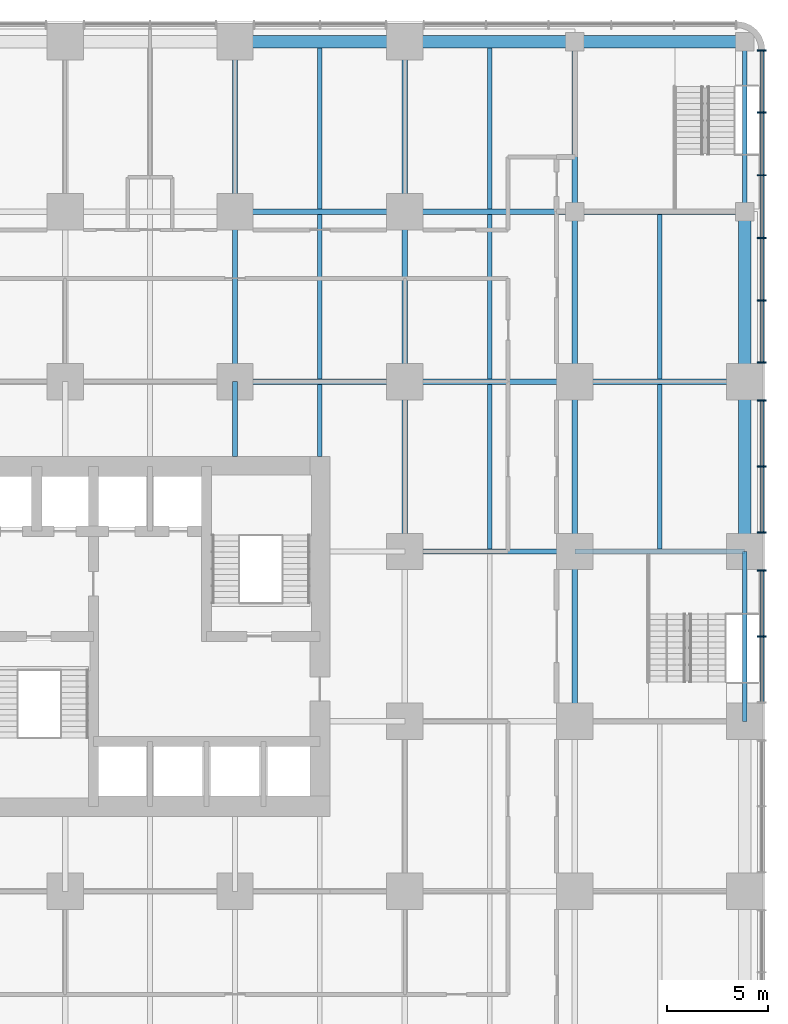
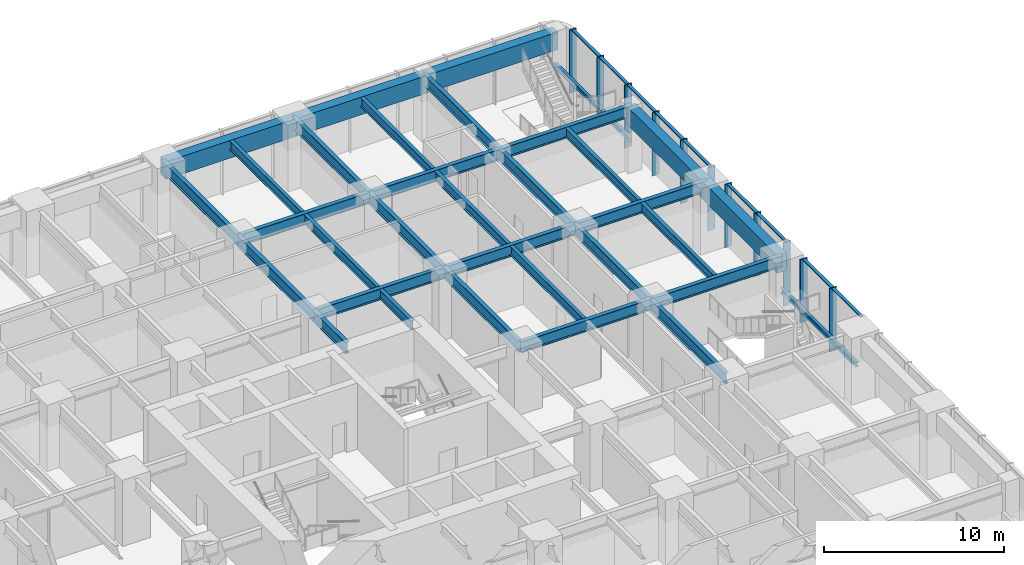
# One storey, part 6 of 19: 33 beams, 20 members, 1 element without a shape of its own.
"""IFC4 building model written with IfcOpenShell, lengths in metres."""

import ifcopenshell
import ifcopenshell.guid

model = None  # the IFC model being written
_history = None  # IfcOwnerHistory: only IFC2X3 demands one
_inside = {}  # id of a spatial element -> (the spatial element, [elements in it])
_under = {}  # id of a project, library or spatial element -> (it, [spatial elements below it])
_declared = {}  # id of a project -> (the project, [libraries it declares])
_typed = {}  # id of a type object -> (the type object, [elements of that type])
_made_of = {}  # id of a material, layer set ... -> (it, [elements and type objects made of it])


def new_model(schema):
    """Start an empty IFC model of exactly this schema.

    Asked for "IFC4X3", IfcOpenShell would pick the latest addendum, in which some entities
    have other attributes; the version numbers below select the first issue.
    IFC2X3 requires an IfcOwnerHistory on every rooted entity: one is made here for all.
    """
    global model, _history
    if schema == "IFC4X3":
        model = ifcopenshell.file(schema_version=(4, 3, 0, 0))
    else:
        model = ifcopenshell.file(schema=schema)
    _inside.clear()
    _under.clear()
    _declared.clear()
    _typed.clear()
    _made_of.clear()
    _history = None
    if model.schema == "IFC2X3":
        org = make("IfcOrganization", Name="unknown")
        user = make(
            "IfcPersonAndOrganization",
            ThePerson=make("IfcPerson", FamilyName="unknown"),
            TheOrganization=org,
        )
        app = make(
            "IfcApplication",
            ApplicationDeveloper=org,
            Version="unknown",
            ApplicationFullName="unknown",
            ApplicationIdentifier="unknown",
        )
        _history = make(
            "IfcOwnerHistory",
            OwningUser=user,
            OwningApplication=app,
            ChangeAction="ADDED",
            CreationDate=0,
        )
    return model


def make(cls, **values):
    """One entity of the class cls with the attributes given. An attribute that is None is left unset."""
    return model.create_entity(
        cls, **{name: value for name, value in values.items() if value is not None}
    )


def rooted(cls, **values):
    """An entity with a GlobalId (a new one), such as an element, a storey or a relation."""
    return make(cls, GlobalId=ifcopenshell.guid.new(), OwnerHistory=_history, **values)


def si_unit(unit_type, name, prefix=None):
    """IfcSIUnit, for example si_unit("LENGTHUNIT", "METRE", prefix="MILLI")."""
    return make("IfcSIUnit", UnitType=unit_type, Prefix=prefix, Name=name)


def assignment(units):
    """IfcUnitAssignment: the units of a project."""
    return None if units is None else make("IfcUnitAssignment", Units=units)


def point(xyz):
    """IfcCartesianPoint."""
    return None if xyz is None else make("IfcCartesianPoint", Coordinates=xyz)


def direction(xyz):
    """IfcDirection."""
    return None if xyz is None else make("IfcDirection", DirectionRatios=xyz)


def frame(location, z_axis=None, x_axis=None):
    """IfcAxis2Placement3D, a coordinate frame: its origin and axes. An axis left out is left unset."""
    return make(
        "IfcAxis2Placement3D",
        Location=point(location),
        Axis=direction(z_axis),
        RefDirection=direction(x_axis),
    )


def frame_2d(location, x_axis=None):
    """IfcAxis2Placement2D, a coordinate frame in the plane: its origin and x axis."""
    return make(
        "IfcAxis2Placement2D", Location=point(location), RefDirection=direction(x_axis)
    )


def origin():
    """The frame at (0, 0, 0) with its axes left unset."""
    return frame((0.0, 0.0, 0.0))


def origin_2d():
    """The frame at (0, 0) in the plane with its x axis left unset."""
    return frame_2d((0.0, 0.0))


def place(relative_to, where):
    """IfcLocalPlacement: puts the frame where relative to a parent placement (None: the world)."""
    return make(
        "IfcLocalPlacement", PlacementRelTo=relative_to, RelativePlacement=where
    )


def context(
    kind, dimensions, precision=None, world=None, true_north=None, identifier=None
):
    """IfcGeometricRepresentationContext, for example the 3D "Model" context."""
    return make(
        "IfcGeometricRepresentationContext",
        ContextIdentifier=identifier,
        ContextType=kind,
        CoordinateSpaceDimension=dimensions,
        Precision=precision,
        WorldCoordinateSystem=world,
        TrueNorth=true_north,
    )


def subcontext(parent, identifier, kind, view, scale=None):
    """IfcGeometricRepresentationSubContext, for example "Body" below "Model"."""
    return make(
        "IfcGeometricRepresentationSubContext",
        ContextIdentifier=identifier,
        ContextType=kind,
        ParentContext=parent,
        TargetScale=scale,
        TargetView=view,
    )


def project(units=None, contexts=None):
    """IfcProject with its units and contexts."""
    return rooted(
        "IfcProject",
        Name="project",
        RepresentationContexts=contexts,
        UnitsInContext=assignment(units),
    )


def spatial(cls, under=None, at=None, **own):
    """A site, building, storey or space (cls), placed at a placement, below another one or the project."""
    s = rooted(cls, ObjectPlacement=at, **own)
    if under is not None:
        _under.setdefault(under.id(), (under, []))[1].append(s)
    return s


def profile(cls, at=None, kind="AREA", **sizes):
    """A parametric profile (cls). Its sizes go by their IFC names, for example OverallWidth=200.0."""
    return make(cls, ProfileType=kind, Position=at, **sizes)


def rectangle(**sizes):
    """IfcRectangleProfileDef."""
    return profile("IfcRectangleProfileDef", **sizes)


def i_section(**sizes):
    """IfcIShapeProfileDef."""
    return profile("IfcIShapeProfileDef", **sizes)


def extrude(swept, where, along, depth):
    """IfcExtrudedAreaSolid: the profile swept, set in the frame where, extruded along a direction by depth."""
    return make(
        "IfcExtrudedAreaSolid",
        SweptArea=swept,
        Position=where,
        ExtrudedDirection=direction(along),
        Depth=depth,
    )


def shape(context_of_items, identifier, shape_type, items):
    """IfcShapeRepresentation: the items that make up one representation, for example the "Body"."""
    return make(
        "IfcShapeRepresentation",
        ContextOfItems=context_of_items,
        RepresentationIdentifier=identifier,
        RepresentationType=shape_type,
        Items=items,
    )


def material(Name=None, Category=None):
    """IfcMaterial."""
    return make("IfcMaterial", Name=Name, Category=Category)


def material_profile(
    of_material, cross_section, Name=None, Category=None, Priority=None
):
    """IfcMaterialProfile: a cross section and its material."""
    return make(
        "IfcMaterialProfile",
        Name=Name,
        Material=of_material,
        Profile=cross_section,
        Priority=Priority,
        Category=Category,
    )


def profile_set(profiles, Name=None, composite=None):
    """IfcMaterialProfileSet."""
    return make(
        "IfcMaterialProfileSet",
        Name=Name,
        MaterialProfiles=profiles,
        CompositeProfile=composite,
    )


def made_of(thing, what):
    """Note that an element or type object is made of a material, layer set ...; save() writes the relation."""
    if what is not None:
        _made_of.setdefault(what.id(), (what, []))[1].append(thing)
    return thing


def type_object(cls, material=None, **own):
    """A type object (cls), such as IfcWallType, which elements share."""
    return made_of(rooted(cls, **own), material)


def element(
    cls,
    number,
    at=None,
    inside=None,
    cuts=None,
    type_object=None,
    material=None,
    context=None,
    identifier="Body",
    shape_type=None,
    held_by="IfcProductDefinitionShape",
    body=None,
    shapes=None,
    **own,
):
    """One element of the class cls, such as IfcWall. Its Tag is "e" and its number.

    at: its placement. inside: the storey or other place that contains it. cuts: it is an
    opening in that element (IfcRelVoidsElement). A single representation is given by context,
    identifier, shape_type and body (its items); several are given by shapes. held_by: the class
    of the entity that holds the representations. save() writes the other relations.
    """
    e = rooted(cls, Tag="e%d" % number, ObjectPlacement=at, **own)
    if body is not None:
        shapes = [shape(context, identifier, shape_type, body)]
    if shapes is not None:
        e.Representation = make(held_by, Representations=shapes)
    if inside is not None:
        _inside.setdefault(inside.id(), (inside, []))[1].append(e)
    if cuts is not None:
        rooted(
            "IfcRelVoidsElement", RelatingBuildingElement=cuts, RelatedOpeningElement=e
        )
    if type_object is not None:
        _typed.setdefault(type_object.id(), (type_object, []))[1].append(e)
    return made_of(e, material)


def aggregate(whole, parts):
    """IfcRelAggregates: a whole, such as a stair, and the parts it consists of."""
    return rooted("IfcRelAggregates", RelatingObject=whole, RelatedObjects=parts)


def save(model, path):
    """Write the relations noted so far, then the file.

    IfcRelAggregates (storeys below a building ...), IfcRelContainedInSpatialStructure (elements
    in a storey), IfcRelDefinesByType, IfcRelAssociatesMaterial and IfcRelDeclares: one each for
    every whole, place, type object, material and project.
    """
    for whole, parts in _under.values():
        aggregate(whole, parts)
    for where, things in _inside.values():
        rooted(
            "IfcRelContainedInSpatialStructure",
            RelatedElements=things,
            RelatingStructure=where,
        )
    for kind, things in _typed.values():
        rooted("IfcRelDefinesByType", RelatedObjects=things, RelatingType=kind)
    for what, things in _made_of.values():
        rooted("IfcRelAssociatesMaterial", RelatedObjects=things, RelatingMaterial=what)
    for by, libraries in _declared.values():
        rooted("IfcRelDeclares", RelatingContext=by, RelatedDefinitions=libraries)
    model.write(path)


model = new_model("IFC4")

# Units and contexts
model_context = context("Model", 3, precision=1e-05, world=origin(), true_north=direction((0.0, 1.0)))
body_context = subcontext(model_context, "Body", "Model", "MODEL_VIEW")
ifc_project = project(units=[si_unit("LENGTHUNIT", "METRE"), si_unit("AREAUNIT", "SQUARE_METRE"), si_unit("VOLUMEUNIT", "CUBIC_METRE"), si_unit("PLANEANGLEUNIT", "RADIAN"), si_unit("MASSUNIT", "GRAM", prefix="KILO")], contexts=[model_context])

# Site, building, storey
site_placement = place(None, origin())
site = spatial("IfcSite", under=ifc_project, at=site_placement, CompositionType="ELEMENT")
building_placement = place(site_placement, origin())
building = spatial("IfcBuilding", under=site, at=building_placement, Name="Torre Alcanfor", CompositionType="ELEMENT")
storey_placement = place(building_placement, frame((0.0, 0.0, 15.0)))
storey = spatial("IfcBuildingStorey", under=building, at=storey_placement, Name="L03", CompositionType="ELEMENT", Elevation=15.0)

# Curtain wall, members
ifc_material_1 = material(Name="Aluminium and glass", Category="aluminium")
curtain_wall_type = type_object("IfcCurtainWallType", Name="CW-B unitised classroom glazing with vertical FIN", PredefinedType="NOTDEFINED", material=ifc_material_1)
curtain_wall_placement = place(storey_placement, origin())
curtain_wall = element("IfcCurtainWall", 1, at=curtain_wall_placement, inside=storey, type_object=curtain_wall_type, Name="Curtain wall CW-B L03 1", PredefinedType="NOTDEFINED")
ifc_material_2 = material(Name="Bronze anodised aluminium", Category="aluminium")
ifc_material_profile_1 = material_profile(ifc_material_2, rectangle(XDim=0.449951171875, YDim=0.06494140625, at=origin_2d()), Name="CW-B mullion 65x450")
ifc_profile_set_1 = profile_set([ifc_material_profile_1], Name="Bronze anodised aluminium")
member_type_1 = type_object("IfcMemberType", Name="CW-B mullion with vertical FIN 65x450", PredefinedType="MULLION", material=ifc_profile_set_1)
member_1_placement = place(storey_placement, frame((59.64990234375, 29.39990234375, 0.0), z_axis=(0.0, 0.0, 1.0), x_axis=(-1.0, 0.0, 0.0)))
member_1 = element("IfcMember", 2, at=member_1_placement, type_object=member_type_1, Name="CW-B mullion 3.2", PredefinedType="MULLION", context=body_context, shape_type="SweptSolid", body=[
    extrude(rectangle(XDim=0.449951171875, YDim=0.06494140625, at=origin_2d()), origin(), (0.0, 0.0, 1.0), 4.300048828125),
])
member_2_placement = place(storey_placement, frame((59.64990234375, 32.66259765625, 0.0), z_axis=(0.0, 0.0, 1.0), x_axis=(-1.0, 0.0, 0.0)))
member_2 = element("IfcMember", 3, at=member_2_placement, type_object=member_type_1, Name="CW-B mullion 3.3", PredefinedType="MULLION", context=body_context, shape_type="SweptSolid", body=[
    extrude(rectangle(XDim=0.449951171875, YDim=0.06494140625, at=origin_2d()), origin(), (0.0, 0.0, 1.0), 4.300048828125),
])
member_3_placement = place(storey_placement, frame((59.64990234375, 34.53759765625, 0.0), z_axis=(0.0, 0.0, 1.0), x_axis=(-1.0, 0.0, 0.0)))
member_3 = element("IfcMember", 4, at=member_3_placement, type_object=member_type_1, Name="CW-B mullion 4.1", PredefinedType="MULLION", context=body_context, shape_type="SweptSolid", body=[
    extrude(rectangle(XDim=0.449951171875, YDim=0.06494140625, at=origin_2d()), origin(), (0.0, 0.0, 1.0), 4.300048828125),
])
member_4_placement = place(storey_placement, frame((59.64990234375, 37.800048828125, 0.0), z_axis=(0.0, 0.0, 1.0), x_axis=(-1.0, 0.0, 0.0)))
member_4 = element("IfcMember", 5, at=member_4_placement, type_object=member_type_1, Name="CW-B mullion 4.2", PredefinedType="MULLION", context=body_context, shape_type="SweptSolid", body=[
    extrude(rectangle(XDim=0.449951171875, YDim=0.06494140625, at=origin_2d()), origin(), (0.0, 0.0, 1.0), 4.300048828125),
])
member_5_placement = place(storey_placement, frame((59.64990234375, 41.0625, 0.0), z_axis=(0.0, 0.0, 1.0), x_axis=(-1.0, 0.0, 0.0)))
member_5 = element("IfcMember", 6, at=member_5_placement, type_object=member_type_1, Name="CW-B mullion 4.3", PredefinedType="MULLION", context=body_context, shape_type="SweptSolid", body=[
    extrude(rectangle(XDim=0.449951171875, YDim=0.06494140625, at=origin_2d()), origin(), (0.0, 0.0, 1.0), 4.300048828125),
])
member_6_placement = place(storey_placement, frame((59.64990234375, 42.9375, 0.0), z_axis=(0.0, 0.0, 1.0), x_axis=(-1.0, 0.0, 0.0)))
member_6 = element("IfcMember", 7, at=member_6_placement, type_object=member_type_1, Name="CW-B mullion 5.1", PredefinedType="MULLION", context=body_context, shape_type="SweptSolid", body=[
    extrude(rectangle(XDim=0.449951171875, YDim=0.06494140625, at=origin_2d()), origin(), (0.0, 0.0, 1.0), 4.300048828125),
])
member_7_placement = place(storey_placement, frame((59.64990234375, 46.00390625, 0.0), z_axis=(0.0, 0.0, 1.0), x_axis=(-1.0, 0.0, 0.0)))
member_7 = element("IfcMember", 8, at=member_7_placement, type_object=member_type_1, Name="CW-B mullion 5.2", PredefinedType="MULLION", context=body_context, shape_type="SweptSolid", body=[
    extrude(rectangle(XDim=0.449951171875, YDim=0.06494140625, at=origin_2d()), origin(), (0.0, 0.0, 1.0), 4.300048828125),
])
member_8_placement = place(storey_placement, frame((59.64990234375, 49.10302734375, 0.0), z_axis=(0.0, 0.0, 1.0), x_axis=(-1.0, 0.0, 0.0)))
member_8 = element("IfcMember", 9, at=member_8_placement, type_object=member_type_1, Name="CW-B mullion 5.3", PredefinedType="MULLION", context=body_context, shape_type="SweptSolid", body=[
    extrude(rectangle(XDim=0.449951171875, YDim=0.06494140625, at=origin_2d()), origin(), (0.0, 0.0, 1.0), 4.300048828125),
])
member_9_placement = place(storey_placement, frame((59.64990234375, 52.201904296875, 0.0), z_axis=(0.0, 0.0, 1.0), x_axis=(-1.0, 0.0, 0.0)))
member_9 = element("IfcMember", 10, at=member_9_placement, type_object=member_type_1, Name="CW-B mullion 5.4", PredefinedType="MULLION", context=body_context, shape_type="SweptSolid", body=[
    extrude(rectangle(XDim=0.449951171875, YDim=0.06494140625, at=origin_2d()), origin(), (0.0, 0.0, 1.0), 4.300048828125),
])
member_10_placement = place(storey_placement, frame((59.64990234375, 55.301025390625, 0.0), z_axis=(0.0, 0.0, 1.0), x_axis=(-1.0, 0.0, 0.0)))
member_10 = element("IfcMember", 11, at=member_10_placement, type_object=member_type_1, Name="CW-B mullion 5.5", PredefinedType="MULLION", context=body_context, shape_type="SweptSolid", body=[
    extrude(rectangle(XDim=0.449951171875, YDim=0.06494140625, at=origin_2d()), origin(), (0.0, 0.0, 1.0), 4.300048828125),
])
member_11_placement = place(storey_placement, frame((59.64990234375, 58.367431640625, 0.0), z_axis=(0.0, 0.0, 1.0), x_axis=(-1.0, 0.0, 0.0)))
member_11 = element("IfcMember", 12, at=member_11_placement, type_object=member_type_1, Name="CW-B mullion 5.6", PredefinedType="MULLION", context=body_context, shape_type="SweptSolid", body=[
    extrude(rectangle(XDim=0.449951171875, YDim=0.06494140625, at=origin_2d()), origin(), (0.0, 0.0, 1.0), 4.300048828125),
])
ifc_material_3 = material(Name="Extruded aluminium", Category="aluminium")
ifc_material_profile_2 = material_profile(ifc_material_3, rectangle(XDim=0.199951171875, YDim=0.06494140625, at=origin_2d()), Name="CW-B transom 200x65")
ifc_profile_set_2 = profile_set([ifc_material_profile_2], Name="Extruded aluminium")
member_type_2 = type_object("IfcMemberType", Name="CW-B transom 65x200", PredefinedType="USERDEFINED", material=ifc_profile_set_2)
member_12_placement = place(storey_placement, frame((59.64990234375, 26.169921875, 4.267578125), z_axis=(0.0, 1.0, 0.0), x_axis=(-1.0, 0.0, 0.0)))
member_12 = element("IfcMember", 13, at=member_12_placement, type_object=member_type_2, Name="CW-B transom 3.1.2", ObjectType="TRANSOM", PredefinedType="USERDEFINED", context=body_context, shape_type="SweptSolid", body=[
    extrude(rectangle(XDim=0.199951171875, YDim=0.06494140625, at=origin_2d()), origin(), (0.0, 0.0, 1.0), 3.197509765625),
])
member_13_placement = place(storey_placement, frame((59.64990234375, 29.4326171875, 4.267578125), z_axis=(0.0, 1.0, 0.0), x_axis=(-1.0, 0.0, 0.0)))
member_13 = element("IfcMember", 14, at=member_13_placement, type_object=member_type_2, Name="CW-B transom 3.2.2", ObjectType="TRANSOM", PredefinedType="USERDEFINED", context=body_context, shape_type="SweptSolid", body=[
    extrude(rectangle(XDim=0.199951171875, YDim=0.06494140625, at=origin_2d()), origin(), (0.0, 0.0, 1.0), 3.197265625),
])
member_14_placement = place(storey_placement, frame((59.64990234375, 34.570068359375, 4.267578125), z_axis=(0.0, 1.0, 0.0), x_axis=(-1.0, 0.0, 0.0)))
member_14 = element("IfcMember", 15, at=member_14_placement, type_object=member_type_2, Name="CW-B transom 4.1.2", ObjectType="TRANSOM", PredefinedType="USERDEFINED", context=body_context, shape_type="SweptSolid", body=[
    extrude(rectangle(XDim=0.199951171875, YDim=0.06494140625, at=origin_2d()), origin(), (0.0, 0.0, 1.0), 3.197509765625),
])
member_15_placement = place(storey_placement, frame((59.64990234375, 37.83251953125, 4.267578125), z_axis=(0.0, 1.0, 0.0), x_axis=(-1.0, 0.0, 0.0)))
member_15 = element("IfcMember", 16, at=member_15_placement, type_object=member_type_2, Name="CW-B transom 4.2.2", ObjectType="TRANSOM", PredefinedType="USERDEFINED", context=body_context, shape_type="SweptSolid", body=[
    extrude(rectangle(XDim=0.199951171875, YDim=0.06494140625, at=origin_2d()), origin(), (0.0, 0.0, 1.0), 3.197509765625),
])
member_16_placement = place(storey_placement, frame((59.64990234375, 42.969970703125, 4.267578125), z_axis=(0.0, 1.0, 0.0), x_axis=(-1.0, 0.0, 0.0)))
member_16 = element("IfcMember", 17, at=member_16_placement, type_object=member_type_2, Name="CW-B transom 5.1.2", ObjectType="TRANSOM", PredefinedType="USERDEFINED", context=body_context, shape_type="SweptSolid", body=[
    extrude(rectangle(XDim=0.199951171875, YDim=0.06494140625, at=origin_2d()), origin(), (0.0, 0.0, 1.0), 3.00146484375),
])
member_17_placement = place(storey_placement, frame((59.64990234375, 46.03662109375, 4.267578125), z_axis=(0.0, 1.0, 0.0), x_axis=(-1.0, 0.0, 0.0)))
member_17 = element("IfcMember", 18, at=member_17_placement, type_object=member_type_2, Name="CW-B transom 5.2.2", ObjectType="TRANSOM", PredefinedType="USERDEFINED", context=body_context, shape_type="SweptSolid", body=[
    extrude(rectangle(XDim=0.199951171875, YDim=0.06494140625, at=origin_2d()), origin(), (0.0, 0.0, 1.0), 3.033935546875),
])
member_18_placement = place(storey_placement, frame((59.64990234375, 49.135498046875, 4.267578125), z_axis=(0.0, 1.0, 0.0), x_axis=(-1.0, 0.0, 0.0)))
member_18 = element("IfcMember", 19, at=member_18_placement, type_object=member_type_2, Name="CW-B transom 5.3.2", ObjectType="TRANSOM", PredefinedType="USERDEFINED", context=body_context, shape_type="SweptSolid", body=[
    extrude(rectangle(XDim=0.199951171875, YDim=0.06494140625, at=origin_2d()), origin(), (0.0, 0.0, 1.0), 3.033935546875),
])
member_19_placement = place(storey_placement, frame((59.64990234375, 52.234619140625, 4.267578125), z_axis=(0.0, 1.0, 0.0), x_axis=(-1.0, 0.0, 0.0)))
member_19 = element("IfcMember", 20, at=member_19_placement, type_object=member_type_2, Name="CW-B transom 5.4.2", ObjectType="TRANSOM", PredefinedType="USERDEFINED", context=body_context, shape_type="SweptSolid", body=[
    extrude(rectangle(XDim=0.199951171875, YDim=0.06494140625, at=origin_2d()), origin(), (0.0, 0.0, 1.0), 3.033935546875),
])
member_20_placement = place(storey_placement, frame((59.64990234375, 55.33349609375, 4.267578125), z_axis=(0.0, 1.0, 0.0), x_axis=(-1.0, 0.0, 0.0)))
member_20 = element("IfcMember", 21, at=member_20_placement, type_object=member_type_2, Name="CW-B transom 5.5.2", ObjectType="TRANSOM", PredefinedType="USERDEFINED", context=body_context, shape_type="SweptSolid", body=[
    extrude(rectangle(XDim=0.199951171875, YDim=0.06494140625, at=origin_2d()), origin(), (0.0, 0.0, 1.0), 3.00146484375),
])
aggregate(curtain_wall, [member_1, member_2, member_12, member_13, member_3, member_4, member_5, member_14, member_15, member_6, member_7, member_8, member_9, member_10, member_11, member_16, member_17, member_18, member_19, member_20])

# Beams
ifc_material_4 = material(Name="Steel ASTM A992 Grade 50", Category="steel")
ifc_material_profile_3 = material_profile(ifc_material_4, i_section(OverallWidth=0.2666015625, OverallDepth=0.7568359375, WebThickness=0.013916015625, FlangeThickness=0.019287109375, at=origin_2d()), Name="W30x108")
ifc_profile_set_3 = profile_set([ifc_material_profile_3], Name="Steel ASTM A992 Grade 50")
beam_type_1 = type_object("IfcBeamType", Name="Girder W30x108", PredefinedType="BEAM", material=ifc_profile_set_3)
beam_1_placement = place(storey_placement, frame((42.0, 33.60009765625, 3.921630859375), z_axis=(1.0, 0.0, 0.0), x_axis=(0.0, 1.0, 0.0)))
element("IfcBeam", 22, at=beam_1_placement, inside=storey, type_object=beam_type_1, Name="Beam 6G-7G under L04", PredefinedType="BEAM", context=body_context, shape_type="SweptSolid", body=[
    extrude(i_section(OverallWidth=0.2666015625, OverallDepth=0.7568359375, WebThickness=0.013916015625, FlangeThickness=0.019287109375, at=origin_2d()), origin(), (0.0, 0.0, 1.0), 8.39990234375),
])
beam_2_placement = place(storey_placement, frame((50.39990234375, 33.60009765625, 3.921630859375), z_axis=(1.0, 0.0, 0.0), x_axis=(0.0, 1.0, 0.0)))
element("IfcBeam", 23, at=beam_2_placement, inside=storey, type_object=beam_type_1, Name="Beam 7G-8G under L04", PredefinedType="BEAM", context=body_context, shape_type="SweptSolid", body=[
    extrude(i_section(OverallWidth=0.2666015625, OverallDepth=0.7568359375, WebThickness=0.013916015625, FlangeThickness=0.019287109375, at=origin_2d()), origin(), (0.0, 0.0, 1.0), 8.400146484375),
])
for number, where, z_axis, x_axis, name in (
    (24, (33.60009765625, 42.0, 3.921630859375), (1.0, 0.0, 0.0), (0.0, 1.0, 0.0), "Beam 5H-6H under L04"),
    (25, (42.0, 42.0, 3.921630859375), (1.0, 0.0, 0.0), (0.0, 1.0, 0.0), "Beam 6H-7H under L04"),
):
    element("IfcBeam", number, at=place(storey_placement, frame(where, z_axis=z_axis, x_axis=x_axis)), inside=storey, type_object=beam_type_1, Name=name, PredefinedType="BEAM", context=body_context, shape_type="SweptSolid", body=[
        extrude(i_section(OverallWidth=0.2666015625, OverallDepth=0.7568359375, WebThickness=0.013916015625, FlangeThickness=0.019287109375, at=origin_2d()), origin(), (0.0, 0.0, 1.0), 8.39990234375),
    ])
beam_3_placement = place(storey_placement, frame((50.39990234375, 42.0, 3.921630859375), z_axis=(1.0, 0.0, 0.0), x_axis=(0.0, 1.0, 0.0)))
element("IfcBeam", 26, at=beam_3_placement, inside=storey, type_object=beam_type_1, Name="Beam 7H-8H under L04", PredefinedType="BEAM", context=body_context, shape_type="SweptSolid", body=[
    extrude(i_section(OverallWidth=0.2666015625, OverallDepth=0.7568359375, WebThickness=0.013916015625, FlangeThickness=0.019287109375, at=origin_2d()), origin(), (0.0, 0.0, 1.0), 8.400146484375),
])
for number, where, z_axis, x_axis, name in (
    (27, (33.60009765625, 50.39990234375, 3.921630859375), (1.0, 0.0, 0.0), (0.0, 1.0, 0.0), "Beam 5J-6J under L04"),
    (28, (42.0, 50.39990234375, 3.921630859375), (1.0, 0.0, 0.0), (0.0, 1.0, 0.0), "Beam 6J-7J under L04"),
):
    element("IfcBeam", number, at=place(storey_placement, frame(where, z_axis=z_axis, x_axis=x_axis)), inside=storey, type_object=beam_type_1, Name=name, PredefinedType="BEAM", context=body_context, shape_type="SweptSolid", body=[
        extrude(i_section(OverallWidth=0.2666015625, OverallDepth=0.7568359375, WebThickness=0.013916015625, FlangeThickness=0.019287109375, at=origin_2d()), origin(), (0.0, 0.0, 1.0), 8.39990234375),
    ])
beam_4_placement = place(storey_placement, frame((50.39990234375, 50.39990234375, 3.921630859375), z_axis=(1.0, 0.0, 0.0), x_axis=(0.0, 1.0, 0.0)))
element("IfcBeam", 29, at=beam_4_placement, inside=storey, type_object=beam_type_1, Name="Beam 7J-8J under L04", PredefinedType="BEAM", context=body_context, shape_type="SweptSolid", body=[
    extrude(i_section(OverallWidth=0.2666015625, OverallDepth=0.7568359375, WebThickness=0.013916015625, FlangeThickness=0.019287109375, at=origin_2d()), origin(), (0.0, 0.0, 1.0), 8.400146484375),
])
beam_5_placement = place(storey_placement, frame((33.60009765625, 42.0, 3.921630859375), z_axis=(0.0, 1.0, 0.0), x_axis=(-1.0, 0.0, 0.0)))
element("IfcBeam", 30, at=beam_5_placement, inside=storey, type_object=beam_type_1, Name="Beam 5H-5J under L04", PredefinedType="BEAM", context=body_context, shape_type="SweptSolid", body=[
    extrude(i_section(OverallWidth=0.2666015625, OverallDepth=0.7568359375, WebThickness=0.013916015625, FlangeThickness=0.019287109375, at=origin_2d()), origin(), (0.0, 0.0, 1.0), 8.39990234375),
])
beam_6_placement = place(storey_placement, frame((33.60009765625, 50.39990234375, 3.921630859375), z_axis=(0.0, 1.0, 0.0), x_axis=(-1.0, 0.0, 0.0)))
element("IfcBeam", 31, at=beam_6_placement, inside=storey, type_object=beam_type_1, Name="Beam 5J-5K under L04", PredefinedType="BEAM", context=body_context, shape_type="SweptSolid", body=[
    extrude(i_section(OverallWidth=0.2666015625, OverallDepth=0.7568359375, WebThickness=0.013916015625, FlangeThickness=0.019287109375, at=origin_2d()), origin(), (0.0, 0.0, 1.0), 8.400146484375),
])
for number, where, z_axis, x_axis, name in (
    (32, (42.0, 33.60009765625, 3.921630859375), (0.0, 1.0, 0.0), (-1.0, 0.0, 0.0), "Beam 6G-6H under L04"),
    (33, (42.0, 42.0, 3.921630859375), (0.0, 1.0, 0.0), (-1.0, 0.0, 0.0), "Beam 6H-6J under L04"),
):
    element("IfcBeam", number, at=place(storey_placement, frame(where, z_axis=z_axis, x_axis=x_axis)), inside=storey, type_object=beam_type_1, Name=name, PredefinedType="BEAM", context=body_context, shape_type="SweptSolid", body=[
        extrude(i_section(OverallWidth=0.2666015625, OverallDepth=0.7568359375, WebThickness=0.013916015625, FlangeThickness=0.019287109375, at=origin_2d()), origin(), (0.0, 0.0, 1.0), 8.39990234375),
    ])
for number, where, z_axis, x_axis, name in (
    (34, (42.0, 50.39990234375, 3.921630859375), (0.0, 1.0, 0.0), (-1.0, 0.0, 0.0), "Beam 6J-6K under L04"),
    (35, (50.39990234375, 25.199951171875, 3.921630859375), (0.0, 1.0, 0.0), (-1.0, 0.0, 0.0), "Beam 7F-7G under L04"),
):
    element("IfcBeam", number, at=place(storey_placement, frame(where, z_axis=z_axis, x_axis=x_axis)), inside=storey, type_object=beam_type_1, Name=name, PredefinedType="BEAM", context=body_context, shape_type="SweptSolid", body=[
        extrude(i_section(OverallWidth=0.2666015625, OverallDepth=0.7568359375, WebThickness=0.013916015625, FlangeThickness=0.019287109375, at=origin_2d()), origin(), (0.0, 0.0, 1.0), 8.400146484375),
    ])
for number, where, z_axis, x_axis, name in (
    (36, (50.39990234375, 33.60009765625, 3.921630859375), (0.0, 1.0, 0.0), (-1.0, 0.0, 0.0), "Beam 7G-7H under L04"),
    (37, (50.39990234375, 42.0, 3.921630859375), (0.0, 1.0, 0.0), (-1.0, 0.0, 0.0), "Beam 7H-7J under L04"),
):
    element("IfcBeam", number, at=place(storey_placement, frame(where, z_axis=z_axis, x_axis=x_axis)), inside=storey, type_object=beam_type_1, Name=name, PredefinedType="BEAM", context=body_context, shape_type="SweptSolid", body=[
        extrude(i_section(OverallWidth=0.2666015625, OverallDepth=0.7568359375, WebThickness=0.013916015625, FlangeThickness=0.019287109375, at=origin_2d()), origin(), (0.0, 0.0, 1.0), 8.39990234375),
    ])
beam_7_placement = place(storey_placement, frame((50.39990234375, 50.39990234375, 3.921630859375), z_axis=(0.0, 1.0, 0.0), x_axis=(-1.0, 0.0, 0.0)))
element("IfcBeam", 38, at=beam_7_placement, inside=storey, type_object=beam_type_1, Name="Beam 7J-7K under L04", PredefinedType="BEAM", context=body_context, shape_type="SweptSolid", body=[
    extrude(i_section(OverallWidth=0.2666015625, OverallDepth=0.7568359375, WebThickness=0.013916015625, FlangeThickness=0.019287109375, at=origin_2d()), origin(), (0.0, 0.0, 1.0), 8.400146484375),
])
ifc_material_5 = material(Name="Steel ASTM A992 Grade 50", Category="steel")
ifc_material_profile_4 = material_profile(ifc_material_5, i_section(OverallWidth=0.2666015625, OverallDepth=0.7568359375, WebThickness=0.013916015625, FlangeThickness=0.019287109375, at=origin_2d()), Name="W30x108")
ifc_profile_set_4 = profile_set([ifc_material_profile_4], Name="Steel ASTM A992 Grade 50")
beam_type_2 = type_object("IfcBeamType", Name="Girder, part bay W30x108", PredefinedType="BEAM", material=ifc_profile_set_4)
beam_8_placement = place(storey_placement, frame((33.60009765625, 42.0, 3.921630859375), z_axis=(0.0, -1.0, 0.0), x_axis=(1.0, 0.0, 0.0)))
element("IfcBeam", 39, at=beam_8_placement, inside=storey, type_object=beam_type_2, Name="Beam 5H-538_3 under L04", PredefinedType="BEAM", context=body_context, shape_type="SweptSolid", body=[
    extrude(i_section(OverallWidth=0.2666015625, OverallDepth=0.7568359375, WebThickness=0.013916015625, FlangeThickness=0.019287109375, at=origin_2d()), origin(), (0.0, 0.0, 1.0), 3.699951171875),
])
ifc_material_6 = material(Name="Concrete f'c 70 MPa", Category="concrete")
ifc_material_profile_5 = material_profile(ifc_material_6, rectangle(XDim=0.60009765625, YDim=1.199951171875, at=origin_2d()), Name="600x1200")
ifc_profile_set_5 = profile_set([ifc_material_profile_5], Name="Concrete f'c 70 MPa")
beam_type_3 = type_object("IfcBeamType", Name="RC perimeter beam 600x1200", PredefinedType="BEAM", material=ifc_profile_set_5)
for number, where, z_axis, x_axis, name in (
    (40, (33.60009765625, 58.800048828125, 3.699951171875), (1.0, 0.0, 0.0), (0.0, 1.0, 0.0), "Beam 5K-6K under L04"),
    (41, (42.0, 58.800048828125, 3.699951171875), (1.0, 0.0, 0.0), (0.0, 1.0, 0.0), "Beam 6K-7K under L04"),
):
    element("IfcBeam", number, at=place(storey_placement, frame(where, z_axis=z_axis, x_axis=x_axis)), inside=storey, type_object=beam_type_3, Name=name, PredefinedType="BEAM", context=body_context, shape_type="SweptSolid", body=[
        extrude(rectangle(XDim=0.60009765625, YDim=1.199951171875, at=origin_2d()), origin(), (0.0, 0.0, 1.0), 8.39990234375),
    ])
beam_9_placement = place(storey_placement, frame((50.39990234375, 58.800048828125, 3.699951171875), z_axis=(1.0, 0.0, 0.0), x_axis=(0.0, 1.0, 0.0)))
element("IfcBeam", 42, at=beam_9_placement, inside=storey, type_object=beam_type_3, Name="Beam 7K-8K under L04", PredefinedType="BEAM", context=body_context, shape_type="SweptSolid", body=[
    extrude(rectangle(XDim=0.60009765625, YDim=1.199951171875, at=origin_2d()), origin(), (0.0, 0.0, 1.0), 8.400146484375),
])
for number, where, z_axis, x_axis, name in (
    (43, (58.800048828125, 33.60009765625, 3.699951171875), (0.0, 1.0, 0.0), (-1.0, 0.0, 0.0), "Beam 8G-8H under L04"),
    (44, (58.800048828125, 42.0, 3.699951171875), (0.0, 1.0, 0.0), (-1.0, 0.0, 0.0), "Beam 8H-8J under L04"),
):
    element("IfcBeam", number, at=place(storey_placement, frame(where, z_axis=z_axis, x_axis=x_axis)), inside=storey, type_object=beam_type_3, Name=name, PredefinedType="BEAM", context=body_context, shape_type="SweptSolid", body=[
        extrude(rectangle(XDim=0.60009765625, YDim=1.199951171875, at=origin_2d()), origin(), (0.0, 0.0, 1.0), 8.39990234375),
    ])
ifc_material_7 = material(Name="Steel ASTM A992 Grade 50", Category="steel")
ifc_material_profile_6 = material_profile(ifc_material_7, i_section(OverallWidth=0.203369140625, OverallDepth=0.30224609375, WebThickness=0.007568359375, FlangeThickness=0.01318359375, at=origin_2d()), Name="W12x40")
ifc_profile_set_6 = profile_set([ifc_material_profile_6], Name="Steel ASTM A992 Grade 50")
beam_type_4 = type_object("IfcBeamType", Name="School stair landing beam W12x40", PredefinedType="BEAM", material=ifc_profile_set_6)
for number, where, z_axis, x_axis, name in (
    (45, (58.800048828125, 25.199951171875, 1.89892578125), (0.0, 1.0, 0.0), (-1.0, 0.0, 0.0), "Landing beam SS2 L03"),
    (46, (58.800048828125, 50.39990234375, 1.89892578125), (0.0, 1.0, 0.0), (-1.0, 0.0, 0.0), "Landing beam SS4 L03"),
):
    element("IfcBeam", number, at=place(storey_placement, frame(where, z_axis=z_axis, x_axis=x_axis)), inside=storey, type_object=beam_type_4, Name=name, PredefinedType="BEAM", context=body_context, shape_type="SweptSolid", body=[
        extrude(i_section(OverallWidth=0.203369140625, OverallDepth=0.30224609375, WebThickness=0.007568359375, FlangeThickness=0.01318359375, at=origin_2d()), origin(), (0.0, 0.0, 1.0), 8.400146484375),
    ])
ifc_material_8 = material(Name="Steel ASTM A992 Grade 50", Category="steel")
ifc_material_profile_7 = material_profile(ifc_material_8, i_section(OverallWidth=0.22900390625, OverallDepth=0.612060546875, WebThickness=0.011962890625, FlangeThickness=0.01953125, at=origin_2d()), Name="W24x84")
ifc_profile_set_7 = profile_set([ifc_material_profile_7], Name="Steel ASTM A992 Grade 50")
beam_type_5 = type_object("IfcBeamType", Name="Secondary beam W24x84", PredefinedType="BEAM", material=ifc_profile_set_7)
beam_10_placement = place(storey_placement, frame((37.800048828125, 42.133056640625, 3.993896484375), z_axis=(0.0, 1.0, 0.0), x_axis=(-1.0, 0.0, 0.0)))
element("IfcBeam", 47, at=beam_10_placement, inside=storey, type_object=beam_type_5, Name="Beam 37_8H-37_8J under L04", PredefinedType="BEAM", context=body_context, shape_type="SweptSolid", body=[
    extrude(i_section(OverallWidth=0.22900390625, OverallDepth=0.612060546875, WebThickness=0.011962890625, FlangeThickness=0.01953125, at=origin_2d()), origin(), (0.0, 0.0, 1.0), 8.134033203125),
])
beam_11_placement = place(storey_placement, frame((37.800048828125, 50.532958984375, 3.993896484375), z_axis=(0.0, 1.0, 0.0), x_axis=(-1.0, 0.0, 0.0)))
element("IfcBeam", 48, at=beam_11_placement, inside=storey, type_object=beam_type_5, Name="Beam 37_8J-37_8K under L04", PredefinedType="BEAM", context=body_context, shape_type="SweptSolid", body=[
    extrude(i_section(OverallWidth=0.22900390625, OverallDepth=0.612060546875, WebThickness=0.011962890625, FlangeThickness=0.01953125, at=origin_2d()), origin(), (0.0, 0.0, 1.0), 7.967041015625),
])
for number, where, z_axis, x_axis, name in (
    (49, (46.199951171875, 33.73291015625, 3.993896484375), (0.0, 1.0, 0.0), (-1.0, 0.0, 0.0), "Beam 46_2G-46_2H under L04"),
    (50, (46.199951171875, 42.133056640625, 3.993896484375), (0.0, 1.0, 0.0), (-1.0, 0.0, 0.0), "Beam 46_2H-46_2J under L04"),
):
    element("IfcBeam", number, at=place(storey_placement, frame(where, z_axis=z_axis, x_axis=x_axis)), inside=storey, type_object=beam_type_5, Name=name, PredefinedType="BEAM", context=body_context, shape_type="SweptSolid", body=[
        extrude(i_section(OverallWidth=0.22900390625, OverallDepth=0.612060546875, WebThickness=0.011962890625, FlangeThickness=0.01953125, at=origin_2d()), origin(), (0.0, 0.0, 1.0), 8.134033203125),
    ])
beam_12_placement = place(storey_placement, frame((46.199951171875, 50.532958984375, 3.993896484375), z_axis=(0.0, 1.0, 0.0), x_axis=(-1.0, 0.0, 0.0)))
element("IfcBeam", 51, at=beam_12_placement, inside=storey, type_object=beam_type_5, Name="Beam 46_2J-46_2K under L04", PredefinedType="BEAM", context=body_context, shape_type="SweptSolid", body=[
    extrude(i_section(OverallWidth=0.22900390625, OverallDepth=0.612060546875, WebThickness=0.011962890625, FlangeThickness=0.01953125, at=origin_2d()), origin(), (0.0, 0.0, 1.0), 7.967041015625),
])
for number, where, z_axis, x_axis, name in (
    (52, (54.60009765625, 33.73291015625, 3.993896484375), (0.0, 1.0, 0.0), (-1.0, 0.0, 0.0), "Beam 54_6G-54_6H under L04"),
    (53, (54.60009765625, 42.133056640625, 3.993896484375), (0.0, 1.0, 0.0), (-1.0, 0.0, 0.0), "Beam 54_6H-54_6J under L04"),
):
    element("IfcBeam", number, at=place(storey_placement, frame(where, z_axis=z_axis, x_axis=x_axis)), inside=storey, type_object=beam_type_5, Name=name, PredefinedType="BEAM", context=body_context, shape_type="SweptSolid", body=[
        extrude(i_section(OverallWidth=0.22900390625, OverallDepth=0.612060546875, WebThickness=0.011962890625, FlangeThickness=0.01953125, at=origin_2d()), origin(), (0.0, 0.0, 1.0), 8.134033203125),
    ])
ifc_material_9 = material(Name="Steel ASTM A992 Grade 50", Category="steel")
ifc_material_profile_8 = material_profile(ifc_material_9, i_section(OverallWidth=0.22900390625, OverallDepth=0.612060546875, WebThickness=0.011962890625, FlangeThickness=0.01953125, at=origin_2d()), Name="W24x84")
ifc_profile_set_8 = profile_set([ifc_material_profile_8], Name="Steel ASTM A992 Grade 50")
beam_type_6 = type_object("IfcBeamType", Name="Secondary beam, part bay W24x84", PredefinedType="BEAM", material=ifc_profile_set_8)
beam_13_placement = place(storey_placement, frame((37.800048828125, 38.300048828125, 3.993896484375), z_axis=(0.0, 1.0, 0.0), x_axis=(-1.0, 0.0, 0.0)))
element("IfcBeam", 54, at=beam_13_placement, inside=storey, type_object=beam_type_6, Name="Beam 37_838_3-37_8H under L04", PredefinedType="BEAM", context=body_context, shape_type="SweptSolid", body=[
    extrude(i_section(OverallWidth=0.22900390625, OverallDepth=0.612060546875, WebThickness=0.011962890625, FlangeThickness=0.01953125, at=origin_2d()), origin(), (0.0, 0.0, 1.0), 3.56689453125),
])

save(model, "model.ifc")
